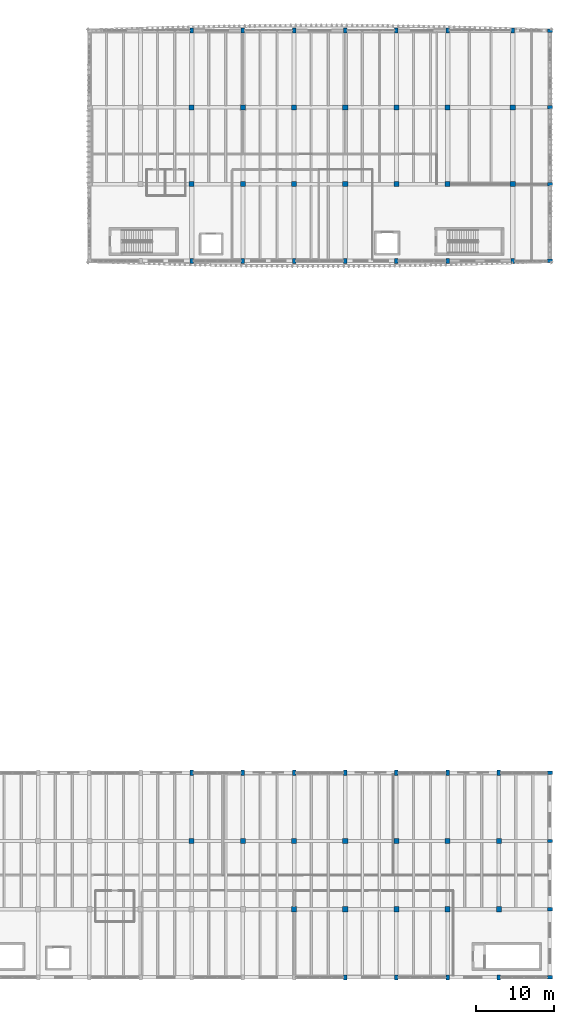
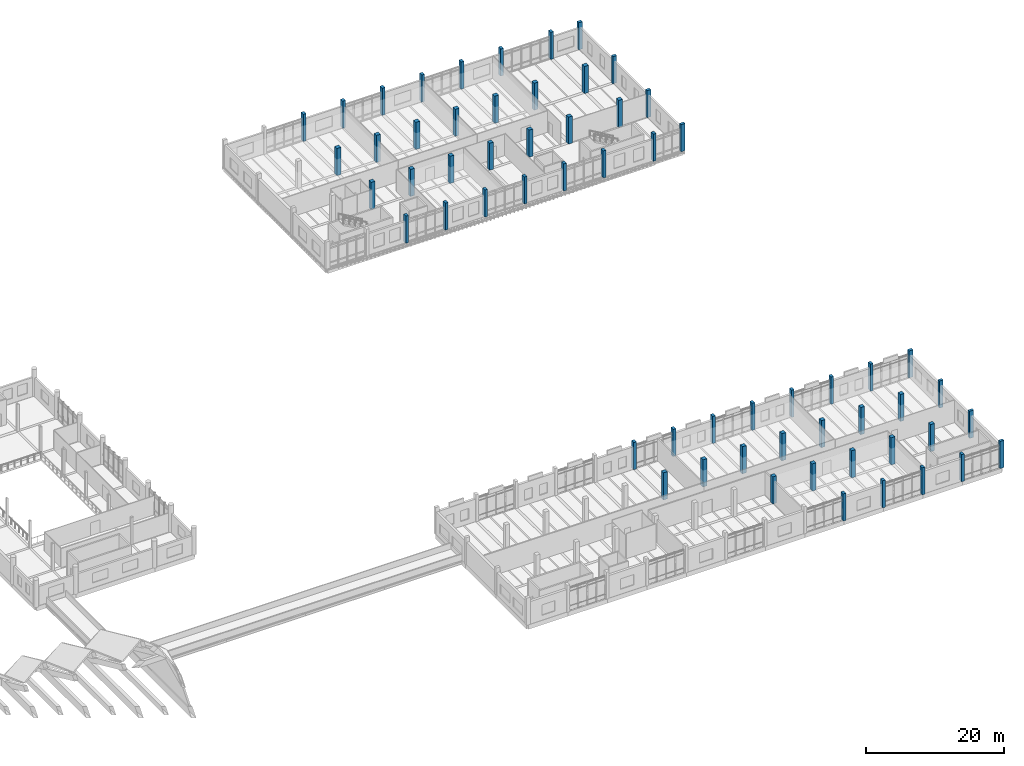
# One storey, part 5 of 76: 59 columns.
"""IFC4 building model written with IfcOpenShell, lengths in metres."""

from ifc_helpers import new_model, si_unit, direction, frame, origin, origin_2d, place, context, subcontext, project, spatial, rectangle, extrude, material, material_profile, profile_set, type_object, element, save


model = new_model("IFC4")

# Units and contexts
model_context = context("Model", 3, precision=1e-05, world=origin(), true_north=direction((0.0, 1.0)))
body_context = subcontext(model_context, "Body", "Model", "MODEL_VIEW")
ifc_project = project(units=[si_unit("LENGTHUNIT", "METRE"), si_unit("AREAUNIT", "SQUARE_METRE"), si_unit("VOLUMEUNIT", "CUBIC_METRE"), si_unit("PLANEANGLEUNIT", "RADIAN"), si_unit("MASSUNIT", "GRAM", prefix="KILO")], contexts=[model_context])

# Site, building, storey
site_placement = place(None, origin())
site = spatial("IfcSite", under=ifc_project, at=site_placement, CompositionType="ELEMENT")
building_placement = place(site_placement, origin())
building = spatial("IfcBuilding", under=site, at=building_placement, Name="Dornvale Research Institute", CompositionType="ELEMENT")
storey_placement = place(building_placement, frame((0.0, 0.0, 15.0)))
storey = spatial("IfcBuildingStorey", under=building, at=storey_placement, Name="L03", CompositionType="ELEMENT", Elevation=15.0)

# Columns
ifc_material_1 = material(Name="Concrete f'c 45 MPa (C35/45)", Category="concrete")
ifc_material_profile_1 = material_profile(ifc_material_1, rectangle(XDim=0.64990234375, YDim=0.64990234375, at=origin_2d()), Name="RC 650x650")
ifc_profile_set_1 = profile_set([ifc_material_profile_1], Name="Concrete f'c 45 MPa (C35/45)")
column_type_1 = type_object("IfcColumnType", Name="Column_RC650", PredefinedType="COLUMN", material=ifc_profile_set_1)
for number, where, z_axis, x_axis, name in (
    (1, (132.0, 102.300048828125, 0.0), (0.0, 0.0, 1.0), (1.0, 0.0, 0.0), "L03 column #583"),
    (2, (132.0, 112.199951171875, 0.0), (0.0, 0.0, 1.0), (1.0, 0.0, 0.0), "L03 column #584"),
    (3, (138.60009765625, 102.300048828125, 0.0), (0.0, 0.0, 1.0), (1.0, 0.0, 0.0), "L03 column #587"),
    (4, (138.60009765625, 112.199951171875, 0.0), (0.0, 0.0, 1.0), (1.0, 0.0, 0.0), "L03 column #588"),
    (5, (145.199951171875, 102.300048828125, 0.0), (0.0, 0.0, 1.0), (1.0, 0.0, 0.0), "L03 column #591"),
    (6, (145.199951171875, 112.199951171875, 0.0), (0.0, 0.0, 1.0), (1.0, 0.0, 0.0), "L03 column #592"),
    (7, (151.800048828125, 102.300048828125, 0.0), (0.0, 0.0, 1.0), (1.0, 0.0, 0.0), "L03 column #595"),
    (8, (151.800048828125, 112.199951171875, 0.0), (0.0, 0.0, 1.0), (1.0, 0.0, 0.0), "L03 column #596"),
    (9, (158.39990234375, 102.300048828125, 0.0), (0.0, 0.0, 1.0), (1.0, 0.0, 0.0), "L03 column #599"),
    (10, (158.39990234375, 112.199951171875, 0.0), (0.0, 0.0, 1.0), (1.0, 0.0, 0.0), "L03 column #600"),
    (11, (165.0, 102.300048828125, 0.0), (0.0, 0.0, 1.0), (1.0, 0.0, 0.0), "L03 column #603"),
    (12, (165.0, 112.199951171875, 0.0), (0.0, 0.0, 1.0), (1.0, 0.0, 0.0), "L03 column #604"),
    (13, (173.39990234375, 102.300048828125, 0.0), (0.0, 0.0, 1.0), (1.0, 0.0, 0.0), "L03 column #607"),
    (14, (173.39990234375, 112.199951171875, 0.0), (0.0, 0.0, 1.0), (1.0, 0.0, 0.0), "L03 column #608"),
    (15, (132.0, 17.60009765625, 0.0), (0.0, 0.0, 1.0), (1.0, 0.0, 0.0), "L03 column #956"),
    (16, (138.60009765625, 17.60009765625, 0.0), (0.0, 0.0, 1.0), (1.0, 0.0, 0.0), "L03 column #960"),
    (17, (145.199951171875, 8.800048828125, 0.0), (0.0, 0.0, 1.0), (1.0, 0.0, 0.0), "L03 column #963"),
    (18, (145.199951171875, 17.60009765625, 0.0), (0.0, 0.0, 1.0), (1.0, 0.0, 0.0), "L03 column #964"),
    (19, (151.800048828125, 8.800048828125, 0.0), (0.0, 0.0, 1.0), (1.0, 0.0, 0.0), "L03 column #967"),
    (20, (151.800048828125, 17.60009765625, 0.0), (0.0, 0.0, 1.0), (1.0, 0.0, 0.0), "L03 column #968"),
    (21, (158.39990234375, 8.800048828125, 0.0), (0.0, 0.0, 1.0), (1.0, 0.0, 0.0), "L03 column #971"),
    (22, (158.39990234375, 17.60009765625, 0.0), (0.0, 0.0, 1.0), (1.0, 0.0, 0.0), "L03 column #972"),
    (23, (165.0, 8.800048828125, 0.0), (0.0, 0.0, 1.0), (1.0, 0.0, 0.0), "L03 column #975"),
    (24, (165.0, 17.60009765625, 0.0), (0.0, 0.0, 1.0), (1.0, 0.0, 0.0), "L03 column #976"),
    (25, (171.60009765625, 8.800048828125, 0.0), (0.0, 0.0, 1.0), (1.0, 0.0, 0.0), "L03 column #979"),
    (26, (171.60009765625, 17.60009765625, 0.0), (0.0, 0.0, 1.0), (1.0, 0.0, 0.0), "L03 column #980"),
):
    element("IfcColumn", number, at=place(storey_placement, frame(where, z_axis=z_axis, x_axis=x_axis)), inside=storey, type_object=column_type_1, Name=name, PredefinedType="COLUMN", context=body_context, shape_type="SweptSolid", body=[
        extrude(rectangle(XDim=0.64990234375, YDim=0.64990234375, at=origin_2d()), origin(), (0.0, 0.0, 1.0), 4.800048828125),
    ])
ifc_material_2 = material(Name="Concrete f'c 45 MPa (C35/45)", Category="concrete")
ifc_material_profile_2 = material_profile(ifc_material_2, rectangle(XDim=0.449951171875, YDim=0.64990234375, at=origin_2d()), Name="RC 450x650")
ifc_profile_set_2 = profile_set([ifc_material_profile_2], Name="Concrete f'c 45 MPa (C35/45)")
column_type_2 = type_object("IfcColumnType", Name="Pilaster_RC450x650_Ext", PredefinedType="PILASTER", material=ifc_profile_set_2)
for number, where, z_axis, x_axis, name in (
    (27, (132.0, 92.39990234375, 0.0), (0.0, 0.0, 1.0), (1.0, 0.0, 0.0), "L03 column #582"),
    (28, (132.0, 122.10009765625, 0.0), (0.0, 0.0, 1.0), (1.0, 0.0, 0.0), "L03 column #585"),
    (29, (138.60009765625, 92.39990234375, 0.0), (0.0, 0.0, 1.0), (1.0, 0.0, 0.0), "L03 column #586"),
    (30, (138.60009765625, 122.10009765625, 0.0), (0.0, 0.0, 1.0), (1.0, 0.0, 0.0), "L03 column #589"),
    (31, (145.199951171875, 92.39990234375, 0.0), (0.0, 0.0, 1.0), (1.0, 0.0, 0.0), "L03 column #590"),
    (32, (145.199951171875, 122.10009765625, 0.0), (0.0, 0.0, 1.0), (1.0, 0.0, 0.0), "L03 column #593"),
    (33, (151.800048828125, 92.39990234375, 0.0), (0.0, 0.0, 1.0), (1.0, 0.0, 0.0), "L03 column #594"),
    (34, (151.800048828125, 122.10009765625, 0.0), (0.0, 0.0, 1.0), (1.0, 0.0, 0.0), "L03 column #597"),
    (35, (158.39990234375, 92.39990234375, 0.0), (0.0, 0.0, 1.0), (1.0, 0.0, 0.0), "L03 column #598"),
    (36, (158.39990234375, 122.10009765625, 0.0), (0.0, 0.0, 1.0), (1.0, 0.0, 0.0), "L03 column #601"),
    (37, (165.0, 92.39990234375, 0.0), (0.0, 0.0, 1.0), (1.0, 0.0, 0.0), "L03 column #602"),
    (38, (165.0, 122.10009765625, 0.0), (0.0, 0.0, 1.0), (1.0, 0.0, 0.0), "L03 column #605"),
    (39, (173.39990234375, 92.39990234375, 0.0), (0.0, 0.0, 1.0), (1.0, 0.0, 0.0), "L03 column #606"),
    (40, (173.39990234375, 122.10009765625, 0.0), (0.0, 0.0, 1.0), (1.0, 0.0, 0.0), "L03 column #609"),
    (41, (178.199951171875, 92.39990234375, 0.0), (0.0, 0.0, 1.0), (0.0, 1.0, 0.0), "L03 column #610"),
    (42, (178.199951171875, 102.300048828125, 0.0), (0.0, 0.0, 1.0), (0.0, 1.0, 0.0), "L03 column #611"),
    (43, (178.199951171875, 112.199951171875, 0.0), (0.0, 0.0, 1.0), (0.0, 1.0, 0.0), "L03 column #612"),
    (44, (178.199951171875, 122.10009765625, 0.0), (0.0, 0.0, 1.0), (0.0, 1.0, 0.0), "L03 column #613"),
    (45, (132.0, 26.39990234375, 0.0), (0.0, 0.0, 1.0), (1.0, 0.0, 0.0), "L03 column #957"),
    (46, (138.60009765625, 26.39990234375, 0.0), (0.0, 0.0, 1.0), (1.0, 0.0, 0.0), "L03 column #961"),
    (47, (145.199951171875, 26.39990234375, 0.0), (0.0, 0.0, 1.0), (1.0, 0.0, 0.0), "L03 column #965"),
    (48, (151.800048828125, 0.0, 0.0), (0.0, 0.0, 1.0), (1.0, 0.0, 0.0), "L03 column #966"),
    (49, (151.800048828125, 26.39990234375, 0.0), (0.0, 0.0, 1.0), (1.0, 0.0, 0.0), "L03 column #969"),
    (50, (158.39990234375, 0.0, 0.0), (0.0, 0.0, 1.0), (1.0, 0.0, 0.0), "L03 column #970"),
    (51, (158.39990234375, 26.39990234375, 0.0), (0.0, 0.0, 1.0), (1.0, 0.0, 0.0), "L03 column #973"),
    (52, (165.0, 0.0, 0.0), (0.0, 0.0, 1.0), (1.0, 0.0, 0.0), "L03 column #974"),
    (53, (165.0, 26.39990234375, 0.0), (0.0, 0.0, 1.0), (1.0, 0.0, 0.0), "L03 column #977"),
    (54, (171.60009765625, 0.0, 0.0), (0.0, 0.0, 1.0), (1.0, 0.0, 0.0), "L03 column #978"),
    (55, (171.60009765625, 26.39990234375, 0.0), (0.0, 0.0, 1.0), (1.0, 0.0, 0.0), "L03 column #981"),
    (56, (178.199951171875, 0.0, 0.0), (0.0, 0.0, 1.0), (0.0, 1.0, 0.0), "L03 column #982"),
    (57, (178.199951171875, 8.800048828125, 0.0), (0.0, 0.0, 1.0), (0.0, 1.0, 0.0), "L03 column #983"),
    (58, (178.199951171875, 17.60009765625, 0.0), (0.0, 0.0, 1.0), (0.0, 1.0, 0.0), "L03 column #984"),
    (59, (178.199951171875, 26.39990234375, 0.0), (0.0, 0.0, 1.0), (0.0, 1.0, 0.0), "L03 column #985"),
):
    element("IfcColumn", number, at=place(storey_placement, frame(where, z_axis=z_axis, x_axis=x_axis)), inside=storey, type_object=column_type_2, Name=name, PredefinedType="PILASTER", context=body_context, shape_type="SweptSolid", body=[
        extrude(rectangle(XDim=0.449951171875, YDim=0.64990234375, at=origin_2d()), origin(), (0.0, 0.0, 1.0), 4.800048828125),
    ])

save(model, "model.ifc")
